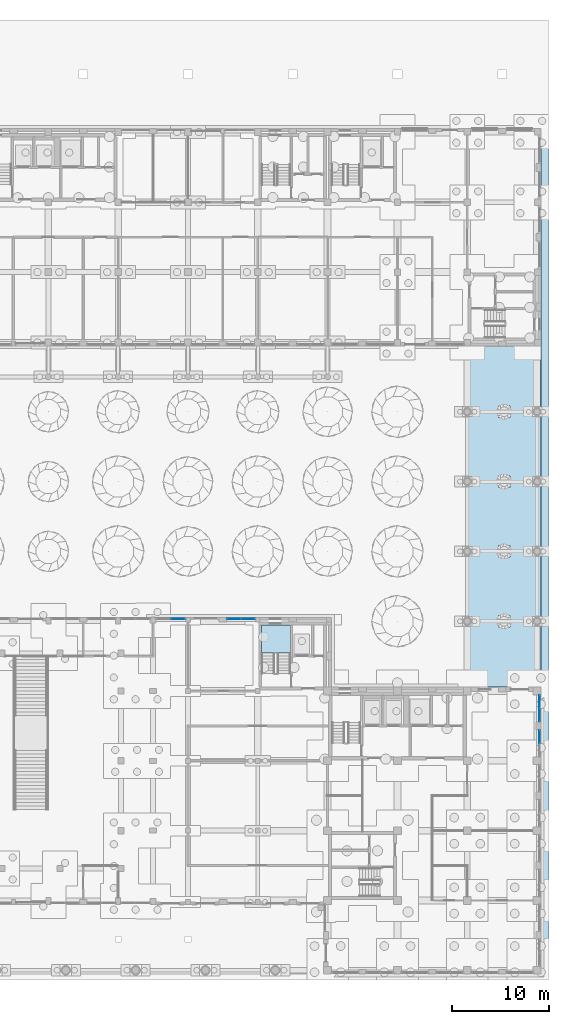
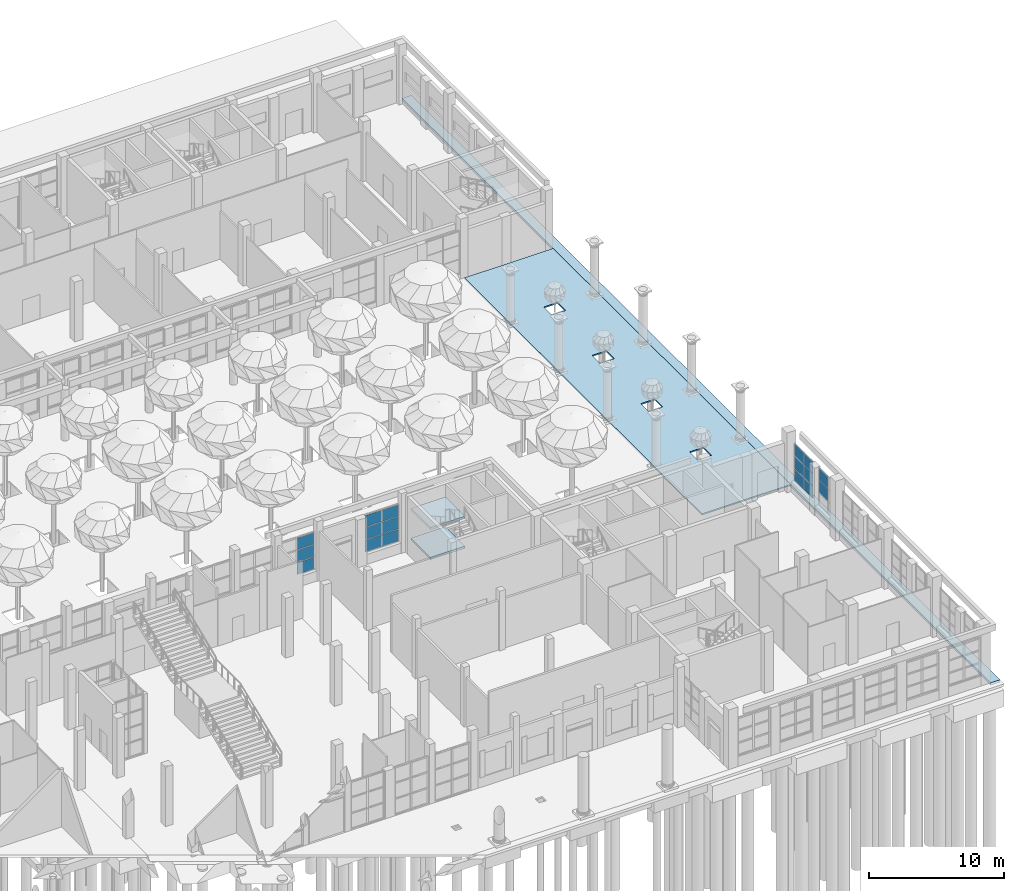
# One storey, part 35 of 80: 17 plates, 4 slabs, 5 elements without a shape of their own.
"""IFC4 building model written with IfcOpenShell, lengths in metres."""

from ifc_helpers import new_model, si_unit, direction, frame, origin, origin_2d, place, context, subcontext, project, spatial, polyline, rectangle, outline, extrude, material, layer, layer_set, type_object, element, aggregate, save


model = new_model("IFC4")

# Units and contexts
model_context = context("Model", 3, precision=1e-05, world=origin(), true_north=direction((0.0, 1.0)))
body_context = subcontext(model_context, "Body", "Model", "MODEL_VIEW")
ifc_project = project(units=[si_unit("LENGTHUNIT", "METRE"), si_unit("AREAUNIT", "SQUARE_METRE"), si_unit("VOLUMEUNIT", "CUBIC_METRE"), si_unit("PLANEANGLEUNIT", "RADIAN"), si_unit("MASSUNIT", "GRAM", prefix="KILO")], contexts=[model_context])

# Site, building, storey
site_placement = place(None, origin())
site = spatial("IfcSite", under=ifc_project, at=site_placement, CompositionType="ELEMENT")
building_placement = place(site_placement, origin())
building = spatial("IfcBuilding", under=site, at=building_placement, Name="Ussher Court Research Institute", CompositionType="ELEMENT")
storey_placement = place(building_placement, origin())
storey = spatial("IfcBuildingStorey", under=building, at=storey_placement, Name="L00", CompositionType="ELEMENT", Elevation=0.0)

# Curtain wall, plates
ifc_material_1 = material(Name="Bronze anodised aluminium with acoustic laminated glass", Category="aluminium")
ifc_layer_1 = layer(ifc_material_1, 0.1201171875)
ifc_layer_set_1 = layer_set([ifc_layer_1], Name="Bronze anodised aluminium with acoustic laminated glass")
curtain_wall_type_1 = type_object("IfcCurtainWallType", Name="Curtain wall reading link court front ground floor", PredefinedType="NOTDEFINED", material=ifc_layer_set_1)
curtain_wall_1_placement = place(storey_placement, origin())
curtain_wall_1 = element("IfcCurtainWall", 1, at=curtain_wall_1_placement, inside=storey, type_object=curtain_wall_type_1, Name="Curtain wall CW6 L00", PredefinedType="NOTDEFINED")
ifc_material_2 = material(Name="Acoustic laminated double glazed unit")
ifc_layer_2 = layer(ifc_material_2, 0.0458984375)
ifc_layer_set_2 = layer_set([ifc_layer_2], Name="Acoustic laminated double glazed unit")
plate_type_1 = type_object("IfcPlateType", Name="Acoustic laminated glazing panel 46 mm", PredefinedType="CURTAIN_PANEL", material=ifc_layer_set_2)
plate_1_placement = place(storey_placement, frame((66.7724609375, 40.25, 0.9599609375), z_axis=(0.0, 0.0, 1.0), x_axis=(1.0, 0.0, 0.0)))
plate_1 = element("IfcPlate", 2, at=plate_1_placement, type_object=plate_type_1, Name="CW6 panel 2.1", PredefinedType="CURTAIN_PANEL", context=body_context, shape_type="SweptSolid", body=[
    extrude(rectangle(XDim=1.43505859375, YDim=0.0458984375, at=origin_2d()), origin(), (0.0, 0.0, 1.0), 1.043212890625),
])
plate_2_placement = place(storey_placement, frame((66.7724609375, 40.25, 2.0634765625), z_axis=(0.0, 0.0, 1.0), x_axis=(1.0, 0.0, 0.0)))
plate_2 = element("IfcPlate", 3, at=plate_2_placement, type_object=plate_type_1, Name="CW6 panel 2.2", PredefinedType="CURTAIN_PANEL", context=body_context, shape_type="SweptSolid", body=[
    extrude(rectangle(XDim=1.43505859375, YDim=0.0458984375, at=origin_2d()), origin(), (0.0, 0.0, 1.0), 1.073486328125),
])
plate_3_placement = place(storey_placement, frame((66.7724609375, 40.25, 3.19677734375), z_axis=(0.0, 0.0, 1.0), x_axis=(1.0, 0.0, 0.0)))
plate_3 = element("IfcPlate", 4, at=plate_3_placement, type_object=plate_type_1, Name="CW6 panel 2.3", PredefinedType="CURTAIN_PANEL", context=body_context, shape_type="SweptSolid", body=[
    extrude(rectangle(XDim=1.43505859375, YDim=0.0458984375, at=origin_2d()), origin(), (0.0, 0.0, 1.0), 1.043212890625),
])
aggregate(curtain_wall_1, [plate_1, plate_2, plate_3])

curtain_wall_2_placement = place(storey_placement, origin())
curtain_wall_2 = element("IfcCurtainWall", 5, at=curtain_wall_2_placement, inside=storey, type_object=curtain_wall_type_1, Name="Curtain wall CW6 L00", PredefinedType="NOTDEFINED")
plate_4_placement = place(storey_placement, frame((72.552490234375, 40.25, 0.9599609375), z_axis=(0.0, 0.0, 1.0), x_axis=(1.0, 0.0, 0.0)))
plate_4 = element("IfcPlate", 6, at=plate_4_placement, type_object=plate_type_1, Name="CW6 panel 1.1", PredefinedType="CURTAIN_PANEL", context=body_context, shape_type="SweptSolid", body=[
    extrude(rectangle(XDim=1.385009765625, YDim=0.0458984375, at=origin_2d()), origin(), (0.0, 0.0, 1.0), 1.043212890625),
])
plate_5_placement = place(storey_placement, frame((72.552490234375, 40.25, 2.0634765625), z_axis=(0.0, 0.0, 1.0), x_axis=(1.0, 0.0, 0.0)))
plate_5 = element("IfcPlate", 7, at=plate_5_placement, type_object=plate_type_1, Name="CW6 panel 1.2", PredefinedType="CURTAIN_PANEL", context=body_context, shape_type="SweptSolid", body=[
    extrude(rectangle(XDim=1.385009765625, YDim=0.0458984375, at=origin_2d()), origin(), (0.0, 0.0, 1.0), 1.073486328125),
])
plate_6_placement = place(storey_placement, frame((72.552490234375, 40.25, 3.19677734375), z_axis=(0.0, 0.0, 1.0), x_axis=(1.0, 0.0, 0.0)))
plate_6 = element("IfcPlate", 8, at=plate_6_placement, type_object=plate_type_1, Name="CW6 panel 1.3", PredefinedType="CURTAIN_PANEL", context=body_context, shape_type="SweptSolid", body=[
    extrude(rectangle(XDim=1.385009765625, YDim=0.0458984375, at=origin_2d()), origin(), (0.0, 0.0, 1.0), 1.043212890625),
])
plate_7_placement = place(storey_placement, frame((73.99755859375, 40.25, 0.9599609375), z_axis=(0.0, 0.0, 1.0), x_axis=(1.0, 0.0, 0.0)))
plate_7 = element("IfcPlate", 9, at=plate_7_placement, type_object=plate_type_1, Name="CW6 panel 2.1", PredefinedType="CURTAIN_PANEL", context=body_context, shape_type="SweptSolid", body=[
    extrude(rectangle(XDim=1.385009765625, YDim=0.0458984375, at=origin_2d()), origin(), (0.0, 0.0, 1.0), 1.043212890625),
])
plate_8_placement = place(storey_placement, frame((73.99755859375, 40.25, 2.0634765625), z_axis=(0.0, 0.0, 1.0), x_axis=(1.0, 0.0, 0.0)))
plate_8 = element("IfcPlate", 10, at=plate_8_placement, type_object=plate_type_1, Name="CW6 panel 2.2", PredefinedType="CURTAIN_PANEL", context=body_context, shape_type="SweptSolid", body=[
    extrude(rectangle(XDim=1.385009765625, YDim=0.0458984375, at=origin_2d()), origin(), (0.0, 0.0, 1.0), 1.073486328125),
])
plate_9_placement = place(storey_placement, frame((73.99755859375, 40.25, 3.19677734375), z_axis=(0.0, 0.0, 1.0), x_axis=(1.0, 0.0, 0.0)))
plate_9 = element("IfcPlate", 11, at=plate_9_placement, type_object=plate_type_1, Name="CW6 panel 2.3", PredefinedType="CURTAIN_PANEL", context=body_context, shape_type="SweptSolid", body=[
    extrude(rectangle(XDim=1.385009765625, YDim=0.0458984375, at=origin_2d()), origin(), (0.0, 0.0, 1.0), 1.043212890625),
])
aggregate(curtain_wall_2, [plate_4, plate_5, plate_6, plate_7, plate_8, plate_9])

# Slabs
ifc_material_3 = material(Name="Precast concrete C30/37 paving", Category="concrete")
ifc_layer_3 = layer(ifc_material_3, 0.1201171875)
ifc_layer_set_3 = layer_set([ifc_layer_3], Name="Precast concrete C30/37 paving")
slab_type_1 = type_object("IfcSlabType", Name="External paving slab 120 pedestrian", PredefinedType="BASESLAB", material=ifc_layer_set_3)
slab_1_placement = place(storey_placement, frame((0.0, 0.0, -0.1201171875)))
element("IfcSlab", 12, at=slab_1_placement, inside=storey, type_object=slab_type_1, Name="Gate arcade floor paving", PredefinedType="BASESLAB", context=body_context, shape_type="SweptSolid", body=[
    extrude(outline(polyline([(104.199951171875, 33.199951171875), (104.199951171875, 68.39990234375), (96.60009765625, 68.39990234375), (96.60009765625, 33.199951171875), (97.0, 33.199951171875), (104.199951171875, 33.199951171875)]), holes=[polyline([(99.800048828125, 39.39990234375), (99.800048828125, 40.60009765625), (101.0, 40.60009765625), (101.0, 39.39990234375), (99.800048828125, 39.39990234375)]), polyline([(99.800048828125, 46.60009765625), (99.800048828125, 47.800048828125), (101.0, 47.800048828125), (101.0, 46.60009765625), (99.800048828125, 46.60009765625)]), polyline([(99.800048828125, 53.800048828125), (99.800048828125, 55.0), (101.0, 55.0), (101.0, 53.800048828125), (99.800048828125, 53.800048828125)]), polyline([(99.800048828125, 61.0), (99.800048828125, 62.199951171875), (101.0, 62.199951171875), (101.0, 61.0), (99.800048828125, 61.0)])]), origin(), (0.0, 0.0, 1.0), 0.1201171875),
])
ifc_material_4 = material(Name="Precast concrete C30/37 paving", Category="concrete")
ifc_layer_4 = layer(ifc_material_4, 0.219970703125)
ifc_layer_set_4 = layer_set([ifc_layer_4], Name="Precast concrete C30/37 paving")
slab_type_2 = type_object("IfcSlabType", Name="External paving slab 220 light vehicle", PredefinedType="BASESLAB", material=ifc_layer_set_4)
slab_2_placement = place(storey_placement, frame((0.0, 0.0, -0.219970703125)))
element("IfcSlab", 13, at=slab_2_placement, inside=storey, type_object=slab_type_2, Name="East street strip paving", PredefinedType="BASESLAB", context=body_context, shape_type="SweptSolid", body=[
    extrude(outline(polyline([(104.199951171875, 76.39990234375), (104.199951171875, 68.39990234375), (104.199951171875, 33.199951171875), (104.199951171875, 3.60009765625), (105.0, 3.60009765625), (105.0, 90.800048828125), (104.199951171875, 90.800048828125), (104.199951171875, 76.39990234375)])), origin(), (0.0, 0.0, 1.0), 0.219970703125),
])

# Curtain wall, plates
ifc_material_5 = material(Name="Bronze anodised aluminium with tinted glass", Category="aluminium")
ifc_layer_5 = layer(ifc_material_5, 0.1201171875)
ifc_layer_set_5 = layer_set([ifc_layer_5], Name="Bronze anodised aluminium with tinted glass")
curtain_wall_type_2 = type_object("IfcCurtainWallType", Name="Curtain wall wet laboratory base storefront", PredefinedType="NOTDEFINED", material=ifc_layer_set_5)
curtain_wall_3_placement = place(storey_placement, origin())
curtain_wall_3 = element("IfcCurtainWall", 14, at=curtain_wall_3_placement, inside=storey, type_object=curtain_wall_type_2, Name="Curtain wall CW1 L00", PredefinedType="NOTDEFINED")
ifc_material_6 = material(Name="Double glazed unit")
ifc_layer_6 = layer(ifc_material_6, 0.028076171875)
ifc_layer_set_6 = layer_set([ifc_layer_6], Name="Double glazed unit")
plate_type_2 = type_object("IfcPlateType", Name="Glazing panel 28 mm", PredefinedType="CURTAIN_PANEL", material=ifc_layer_set_6)
plate_10_placement = place(storey_placement, frame((104.050048828125, 31.68505859375, 0.9599609375), z_axis=(0.0, 0.0, 1.0), x_axis=(0.0, -1.0, 0.0)))
plate_10 = element("IfcPlate", 15, at=plate_10_placement, type_object=plate_type_2, Name="CW1 panel 1.1", PredefinedType="CURTAIN_PANEL", context=body_context, shape_type="SweptSolid", body=[
    extrude(rectangle(XDim=1.31005859375, YDim=0.028076171875, at=origin_2d()), origin(), (0.0, 0.0, 1.0), 1.043212890625),
])
plate_11_placement = place(storey_placement, frame((104.050048828125, 31.68505859375, 2.0634765625), z_axis=(0.0, 0.0, 1.0), x_axis=(0.0, -1.0, 0.0)))
plate_11 = element("IfcPlate", 16, at=plate_11_placement, type_object=plate_type_2, Name="CW1 panel 1.2", PredefinedType="CURTAIN_PANEL", context=body_context, shape_type="SweptSolid", body=[
    extrude(rectangle(XDim=1.31005859375, YDim=0.028076171875, at=origin_2d()), origin(), (0.0, 0.0, 1.0), 1.073486328125),
])
plate_12_placement = place(storey_placement, frame((104.050048828125, 31.68505859375, 3.19677734375), z_axis=(0.0, 0.0, 1.0), x_axis=(0.0, -1.0, 0.0)))
plate_12 = element("IfcPlate", 17, at=plate_12_placement, type_object=plate_type_2, Name="CW1 panel 1.3", PredefinedType="CURTAIN_PANEL", context=body_context, shape_type="SweptSolid", body=[
    extrude(rectangle(XDim=1.31005859375, YDim=0.028076171875, at=origin_2d()), origin(), (0.0, 0.0, 1.0), 1.043212890625),
])
plate_13_placement = place(storey_placement, frame((104.050048828125, 30.31494140625, 0.9599609375), z_axis=(0.0, 0.0, 1.0), x_axis=(0.0, -1.0, 0.0)))
plate_13 = element("IfcPlate", 18, at=plate_13_placement, type_object=plate_type_2, Name="CW1 panel 2.1", PredefinedType="CURTAIN_PANEL", context=body_context, shape_type="SweptSolid", body=[
    extrude(rectangle(XDim=1.31005859375, YDim=0.028076171875, at=origin_2d()), origin(), (0.0, 0.0, 1.0), 1.043212890625),
])
plate_14_placement = place(storey_placement, frame((104.050048828125, 30.31494140625, 2.0634765625), z_axis=(0.0, 0.0, 1.0), x_axis=(0.0, -1.0, 0.0)))
plate_14 = element("IfcPlate", 19, at=plate_14_placement, type_object=plate_type_2, Name="CW1 panel 2.2", PredefinedType="CURTAIN_PANEL", context=body_context, shape_type="SweptSolid", body=[
    extrude(rectangle(XDim=1.31005859375, YDim=0.028076171875, at=origin_2d()), origin(), (0.0, 0.0, 1.0), 1.073486328125),
])
plate_15_placement = place(storey_placement, frame((104.050048828125, 30.31494140625, 3.19677734375), z_axis=(0.0, 0.0, 1.0), x_axis=(0.0, -1.0, 0.0)))
plate_15 = element("IfcPlate", 20, at=plate_15_placement, type_object=plate_type_2, Name="CW1 panel 2.3", PredefinedType="CURTAIN_PANEL", context=body_context, shape_type="SweptSolid", body=[
    extrude(rectangle(XDim=1.31005859375, YDim=0.028076171875, at=origin_2d()), origin(), (0.0, 0.0, 1.0), 1.043212890625),
])
aggregate(curtain_wall_3, [plate_10, plate_11, plate_12, plate_13, plate_14, plate_15])

curtain_wall_4_placement = place(storey_placement, origin())
curtain_wall_4 = element("IfcCurtainWall", 21, at=curtain_wall_4_placement, inside=storey, type_object=curtain_wall_type_2, Name="Curtain wall CW1 L00", PredefinedType="NOTDEFINED")
plate_16_placement = place(storey_placement, frame((104.050048828125, 28.0849609375, 2.0634765625), z_axis=(0.0, 0.0, 1.0), x_axis=(0.0, -1.0, 0.0)))
plate_16 = element("IfcPlate", 22, at=plate_16_placement, type_object=plate_type_2, Name="CW1 panel 1.2", PredefinedType="CURTAIN_PANEL", context=body_context, shape_type="SweptSolid", body=[
    extrude(rectangle(XDim=1.31005859375, YDim=0.028076171875, at=origin_2d()), origin(), (0.0, 0.0, 1.0), 1.073486328125),
])
plate_17_placement = place(storey_placement, frame((104.050048828125, 28.0849609375, 3.19677734375), z_axis=(0.0, 0.0, 1.0), x_axis=(0.0, -1.0, 0.0)))
plate_17 = element("IfcPlate", 23, at=plate_17_placement, type_object=plate_type_2, Name="CW1 panel 1.3", PredefinedType="CURTAIN_PANEL", context=body_context, shape_type="SweptSolid", body=[
    extrude(rectangle(XDim=1.31005859375, YDim=0.028076171875, at=origin_2d()), origin(), (0.0, 0.0, 1.0), 1.043212890625),
])
aggregate(curtain_wall_4, [plate_16, plate_17])

# Stair, slabs
ifc_material_7 = material(Name="Concrete C35/45", Category="concrete")
stair_type = type_object("IfcStairType", Name="Core stair 32 risers 169 mm x 300 going 1300 wide", PredefinedType="HALF_TURN_STAIR", material=ifc_material_7)
stair_placement = place(storey_placement, origin())
stair = element("IfcStair", 24, at=stair_placement, inside=storey, type_object=stair_type, Name="L00 Stair E1", PredefinedType="HALF_TURN_STAIR")
ifc_material_8 = material(Name="Concrete C35/45", Category="concrete")
ifc_layer_7 = layer(ifc_material_8, 0.199951171875)
ifc_layer_set_7 = layer_set([ifc_layer_7], Name="Concrete C35/45")
slab_type_3 = type_object("IfcSlabType", Name="Stair landing 200 RC", PredefinedType="LANDING", material=ifc_layer_set_7)
slab_3_placement = place(storey_placement, frame((0.0, 0.0, 1.14990234375)))
slab_3 = element("IfcSlab", 25, at=slab_3_placement, type_object=slab_type_3, Name="E1 landing 1", PredefinedType="LANDING", context=body_context, shape_type="SweptSolid", body=[
    extrude(outline(polyline([(78.35009765625, 36.699951171875), (78.35009765625, 39.60009765625), (75.39990234375, 39.60009765625), (75.39990234375, 36.699951171875), (78.35009765625, 36.699951171875)])), origin(), (0.0, 0.0, 1.0), 0.2001953125),
])
slab_4_placement = place(storey_placement, frame((0.0, 0.0, 3.85009765625)))
slab_4 = element("IfcSlab", 26, at=slab_4_placement, type_object=slab_type_3, Name="E1 landing 3", PredefinedType="LANDING", context=body_context, shape_type="SweptSolid", body=[
    extrude(outline(polyline([(78.35009765625, 36.699951171875), (78.35009765625, 39.60009765625), (75.39990234375, 39.60009765625), (75.39990234375, 36.699951171875), (78.35009765625, 36.699951171875)])), origin(), (0.0, 0.0, 1.0), 0.199951171875),
])
aggregate(stair, [slab_3, slab_4])

save(model, "model.ifc")
